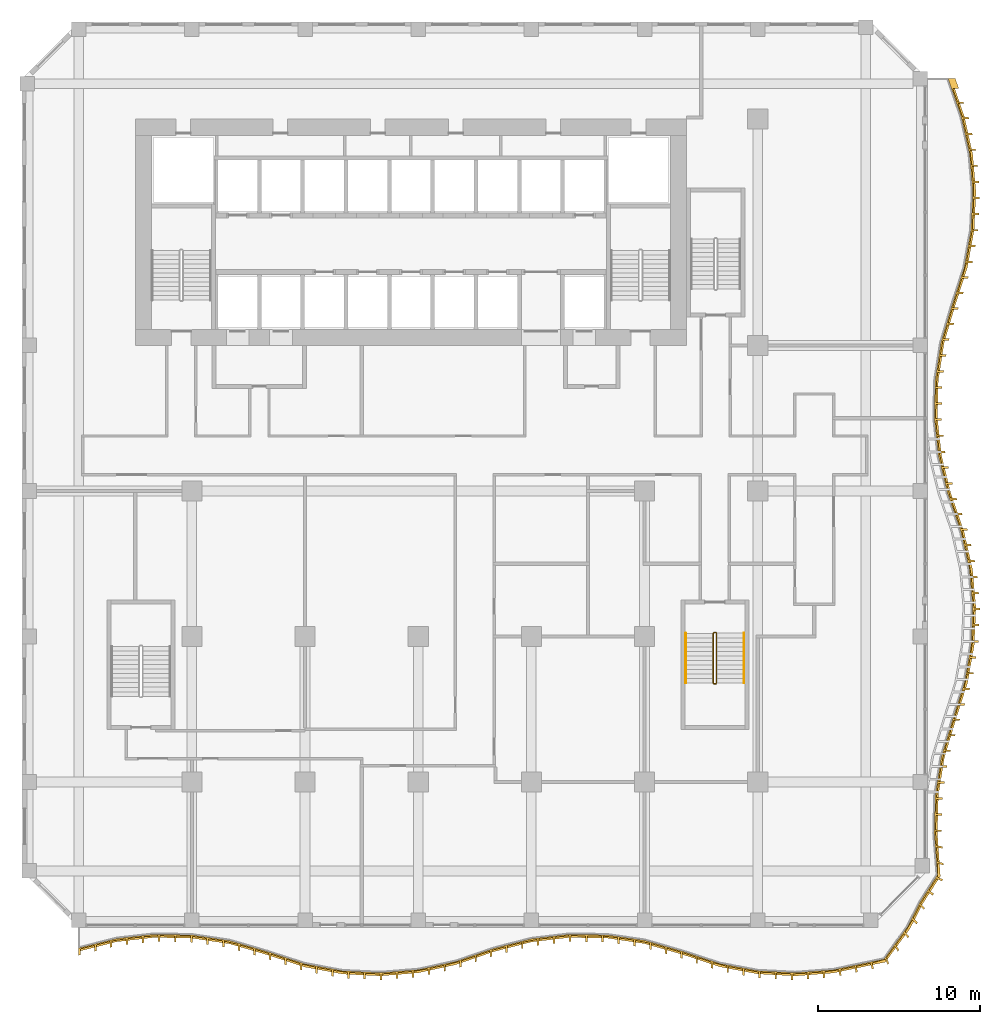
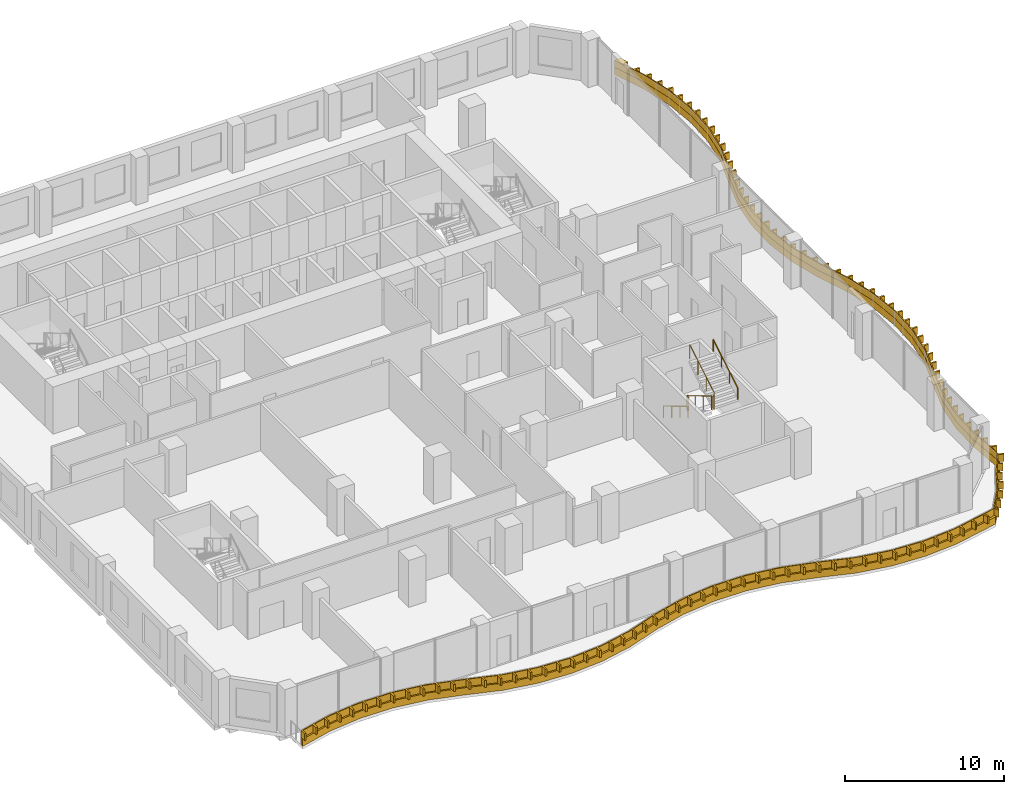
# One storey, part 20 of 21: 3 railings, 2 shading devices.
"""IFC4 building model written with IfcOpenShell, lengths in metres."""

from ifc_helpers import new_model, si_unit, direction, frame, origin, origin_2d, place, context, subcontext, project, spatial, polyline, circle, outline, extrude, source, transform, mapped, material, layer, layer_set, type_object, element, save


model = new_model("IFC4")

# Units and contexts
model_context = context("Model", 3, precision=1e-05, world=origin(), true_north=direction((0.0, 1.0)))
body_context = subcontext(model_context, "Body", "Model", "MODEL_VIEW")
ifc_project = project(units=[si_unit("LENGTHUNIT", "METRE"), si_unit("AREAUNIT", "SQUARE_METRE"), si_unit("VOLUMEUNIT", "CUBIC_METRE"), si_unit("PLANEANGLEUNIT", "RADIAN"), si_unit("MASSUNIT", "GRAM", prefix="KILO")], contexts=[model_context])

# Site, building, storey
site_placement = place(None, origin())
site = spatial("IfcSite", under=ifc_project, at=site_placement, CompositionType="ELEMENT")
building_placement = place(site_placement, origin())
building = spatial("IfcBuilding", under=site, at=building_placement, Name="Kilnfold Tower and Market Hall", CompositionType="ELEMENT")
storey_placement = place(building_placement, frame((0.0, 0.0, 91.199951171875)))
storey = spatial("IfcBuildingStorey", under=building, at=storey_placement, Name="L21", CompositionType="ELEMENT", Elevation=91.199951171875)

# Railings
ifc_material_1 = material(Name="Stainless steel 316", Category="steel")
railing_type_1 = type_object("IfcRailingType", Name="CORE STAIR GUARD 1100", PredefinedType="GUARDRAIL", material=ifc_material_1)
railing_1_placement = place(storey_placement, frame((19.89990234375, -9.75, 0.0)))
element("IfcRailing", 1, at=railing_1_placement, inside=storey, type_object=railing_type_1, Name="L21 ST4 stair guard 1", PredefinedType="GUARDRAIL", context=body_context, shape_type="SweptSolid", body=[
    extrude(circle(Radius=0.02392578125, at=origin_2d()), frame((0.0, 0.0, 1.076171875), z_axis=(-1.0, 0.0, 0.0), x_axis=(0.0, -1.0, 0.0)), (0.0, 0.0, 1.0), 0.099853515625),
    extrude(circle(Radius=0.02392578125, at=origin_2d()), frame((-0.099853515625, 0.0, 1.076171875), z_axis=(-0.27628659633, -0.27628659633, 0.920506074601), x_axis=(0.707106781187, -0.707106781187, 0.0)), (0.0, 0.0, 1.0), 0.18115234375),
    extrude(circle(Radius=0.02392578125, at=origin_2d()), frame((-0.14990234375, -0.050048828125, 1.24267578125), z_axis=(0.0, -0.859290745958, 0.51148745235), x_axis=(1.0, 0.0, 0.0)), (0.0, 0.0, 1.0), 3.584228515625),
    extrude(circle(Radius=0.02392578125, at=origin_2d()), frame((-0.14990234375, -3.1298828125, 3.076171875), z_axis=(0.707106781187, -0.707106781187, 0.0), x_axis=(0.707106781187, 0.707106781187, 0.0)), (0.0, 0.0, 1.0), 0.07080078125),
    extrude(circle(Radius=0.02392578125, at=origin_2d()), frame((-0.099853515625, -3.179931640625, 3.076171875), z_axis=(1.0, 0.0, 0.0), x_axis=(0.0, 1.0, 0.0)), (0.0, 0.0, 1.0), 0.099853515625),
    extrude(circle(Radius=0.02392578125, at=origin_2d()), frame((0.0, -3.179931640625, 3.076171875), z_axis=(0.27628659633, 0.27628659633, 0.920506074601), x_axis=(-0.707106781187, 0.707106781187, 0.0)), (0.0, 0.0, 1.0), 0.18115234375),
    extrude(circle(Radius=0.02392578125, at=origin_2d()), frame((0.050048828125, -3.1298828125, 3.24267578125), z_axis=(0.0, 0.859290745958, 0.51148745235), x_axis=(-1.0, 0.0, 0.0)), (0.0, 0.0, 1.0), 3.584228515625),
    extrude(circle(Radius=0.02099609375, at=origin_2d()), origin(), (0.0, 0.0, 1.0), 1.052001953125),
    extrude(circle(Radius=0.02099609375, at=origin_2d()), frame((-0.099853515625, 0.0, 0.0)), (0.0, 0.0, 1.0), 1.052001953125),
    extrude(circle(Radius=0.02099609375, at=origin_2d()), frame((-0.14990234375, -0.050048828125, 0.166748046875)), (0.0, 0.0, 1.0), 1.052001953125),
    extrude(circle(Radius=0.02099609375, at=origin_2d()), frame((-0.14990234375, -1.07666015625, 0.77783203125)), (0.0, 0.0, 1.0), 1.052001953125),
    extrude(circle(Radius=0.02099609375, at=origin_2d()), frame((-0.14990234375, -2.103271484375, 1.388916015625)), (0.0, 0.0, 1.0), 1.052001953125),
    extrude(circle(Radius=0.02099609375, at=origin_2d()), frame((-0.14990234375, -3.1298828125, 2.0)), (0.0, 0.0, 1.0), 1.052001953125),
    extrude(circle(Radius=0.02099609375, at=origin_2d()), frame((-0.099853515625, -3.179931640625, 2.0)), (0.0, 0.0, 1.0), 1.052001953125),
    extrude(circle(Radius=0.02099609375, at=origin_2d()), frame((0.0, -3.179931640625, 2.0)), (0.0, 0.0, 1.0), 1.052001953125),
    extrude(circle(Radius=0.02099609375, at=origin_2d()), frame((0.050048828125, -3.1298828125, 2.166748046875)), (0.0, 0.0, 1.0), 1.052001953125),
    extrude(circle(Radius=0.02099609375, at=origin_2d()), frame((0.050048828125, -2.103271484375, 2.77783203125)), (0.0, 0.0, 1.0), 1.052001953125),
    extrude(circle(Radius=0.02099609375, at=origin_2d()), frame((0.050048828125, -1.07666015625, 3.388916015625)), (0.0, 0.0, 1.0), 1.052001953125),
    extrude(circle(Radius=0.02099609375, at=origin_2d()), frame((0.050048828125, -0.050048828125, 4.0)), (0.0, 0.0, 1.0), 1.052001953125),
])
ifc_material_2 = material(Name="Stainless steel 316", Category="steel")
railing_type_2 = type_object("IfcRailingType", Name="CORE STAIR HANDRAIL 900", PredefinedType="HANDRAIL", material=ifc_material_2)
railing_2_placement = place(storey_placement, frame((18.050048828125, -9.800048828125, 0.166748046875)))
element("IfcRailing", 2, at=railing_2_placement, inside=storey, type_object=railing_type_2, Name="L21 ST4 stair handrail 1", PredefinedType="HANDRAIL", context=body_context, shape_type="SweptSolid", body=[
    extrude(circle(Radius=0.02392578125, at=origin_2d()), frame((0.0, 0.0, 0.8759765625), z_axis=(0.0, -0.859290745958, 0.51148745235), x_axis=(1.0, 0.0, 0.0)), (0.0, 0.0, 1.0), 3.584228515625),
    extrude(circle(Radius=0.02099609375, at=origin_2d()), origin(), (0.0, 0.0, 1.0), 0.851806640625),
    extrude(circle(Radius=0.02099609375, at=origin_2d()), frame((0.0, -1.026611328125, 0.611083984375)), (0.0, 0.0, 1.0), 0.851806640625),
    extrude(circle(Radius=0.02099609375, at=origin_2d()), frame((0.0, -2.05322265625, 1.22216796875)), (0.0, 0.0, 1.0), 0.851806640625),
    extrude(circle(Radius=0.02099609375, at=origin_2d()), frame((0.0, -3.079833984375, 1.833251953125)), (0.0, 0.0, 1.0), 0.851806640625),
])
railing_3_placement = place(storey_placement, frame((21.64990234375, -12.8798828125, 2.166748046875)))
element("IfcRailing", 3, at=railing_3_placement, inside=storey, type_object=railing_type_2, Name="L21 ST4 stair handrail 2", PredefinedType="HANDRAIL", context=body_context, shape_type="SweptSolid", body=[
    extrude(circle(Radius=0.02392578125, at=origin_2d()), frame((0.0, 0.0, 0.8759765625), z_axis=(0.0, 0.859290745958, 0.51148745235), x_axis=(-1.0, 0.0, 0.0)), (0.0, 0.0, 1.0), 3.584228515625),
    extrude(circle(Radius=0.02099609375, at=origin_2d()), origin(), (0.0, 0.0, 1.0), 0.851806640625),
    extrude(circle(Radius=0.02099609375, at=origin_2d()), frame((0.0, 1.026611328125, 0.611083984375)), (0.0, 0.0, 1.0), 0.851806640625),
    extrude(circle(Radius=0.02099609375, at=origin_2d()), frame((0.0, 2.05322265625, 1.22216796875)), (0.0, 0.0, 1.0), 0.851806640625),
    extrude(circle(Radius=0.02099609375, at=origin_2d()), frame((0.0, 3.079833984375, 1.833251953125)), (0.0, 0.0, 1.0), 0.851806640625),
])

# Shading devices
ifc_material_3 = material(Name="Precast concrete C50/60", Category="concrete")
ifc_layer_1 = layer(ifc_material_3, 0.550048828125)
ifc_layer_set_1 = layer_set([ifc_layer_1], Name="Precast concrete C50/60")
shading_device_type_1 = type_object("IfcShadingDeviceType", Name="BALCONY UPSTAND 550", PredefinedType="USERDEFINED", material=ifc_layer_set_1)
shared_shape_1 = source(origin(), body_context, "Body", "SweptSolid", [
    extrude(outline(polyline([(-19.5, -29.473388671875), (-17.166748046875, -28.885986328125), (-14.833251953125, -28.6201171875), (-12.5, -28.661865234375), (-10.166748046875, -29.01318359375), (-7.833251953125, -29.693359375), (-5.5, -30.453369140625), (-3.166748046875, -30.8818359375), (-0.833251953125, -30.997802734375), (1.5, -30.807373046875), (3.833251953125, -30.300048828125), (6.166748046875, -29.49658203125), (8.5, -28.898681640625), (10.833251953125, -28.623779296875), (13.166748046875, -28.656005859375), (15.5, -28.997802734375), (17.833251953125, -29.66748046875), (20.166748046875, -30.435302734375), (22.5, -30.87353515625), (24.833251953125, -30.998779296875), (27.166748046875, -30.817626953125), (30.387939453125, -30.143798828125), (31.9140625, -28.08056640625), (32.701171875, -26.534423828125), (33.79541015625, -24.829345703125), (33.614013671875, -22.166748046875), (33.67431640625, -19.833251953125), (34.044677734375, -17.5), (34.74609375, -15.166748046875), (35.488525390625, -12.833251953125), (35.897705078125, -10.5), (35.9951171875, -8.166748046875), (35.78564453125, -5.833251953125), (35.258544921875, -3.5), (34.450439453125, -1.166748046875), (33.873291015625, 1.166748046875), (33.616943359375, 3.5), (33.66796875, 5.833251953125), (34.02880859375, 8.166748046875), (34.719482421875, 10.5), (35.47119140625, 12.833251953125), (35.889892578125, 15.166748046875), (35.99658203125, 17.5), (35.796630859375, 19.833251953125), (35.279541015625, 22.166748046875), (34.473388671875, 24.5), (34.2734375, 24.5), (35.07958984375, 22.166748046875), (35.5966796875, 19.833251953125), (35.79638671875, 17.5), (35.68994140625, 15.166748046875), (35.27099609375, 12.833251953125), (34.51953125, 10.5), (33.828857421875, 8.166748046875), (33.468017578125, 5.833251953125), (33.4169921875, 3.5), (33.673095703125, 1.166748046875), (34.25048828125, -1.166748046875), (35.05859375, -3.5), (35.585693359375, -5.833251953125), (35.794921875, -8.166748046875), (35.697509765625, -10.5), (35.28857421875, -12.833251953125), (34.546142578125, -15.166748046875), (33.8447265625, -17.5), (33.47412109375, -19.833251953125), (33.4140625, -22.166748046875), (33.610595703125, -24.7529296875), (32.559814453125, -26.39306640625), (31.772705078125, -27.939208984375), (30.3115234375, -29.958984375), (27.166748046875, -30.61767578125), (24.833251953125, -30.798583984375), (22.5, -30.673583984375), (20.166748046875, -30.235107421875), (17.833251953125, -29.467529296875), (15.5, -28.7978515625), (13.166748046875, -28.4560546875), (10.833251953125, -28.423583984375), (8.5, -28.69873046875), (6.166748046875, -29.29638671875), (3.833251953125, -30.10009765625), (1.5, -30.607421875), (-0.833251953125, -30.7978515625), (-3.166748046875, -30.681884765625), (-5.5, -30.25341796875), (-7.833251953125, -29.493408203125), (-10.166748046875, -28.81298828125), (-12.5, -28.4619140625), (-14.833251953125, -28.420166015625), (-17.166748046875, -28.685791015625), (-19.5, -29.2734375), (-19.5, -29.473388671875)])), origin(), (0.0, 0.0, 1.0), 0.550048828125),
])
shading_device_1_placement = place(storey_placement, origin())
element("IfcShadingDevice", 4, at=shading_device_1_placement, inside=storey, type_object=shading_device_type_1, Name="Balcony fascia L21", ObjectType="FASCIA", PredefinedType="USERDEFINED", context=body_context, shape_type="MappedRepresentation", body=[
    mapped(shared_shape_1, transform((0.0, 0.0, 0.0))),
])
ifc_material_4 = material(Name="Bronze anodised aluminium", Category="aluminium")
ifc_layer_2 = layer(ifc_material_4, 0.550048828125)
ifc_layer_set_2 = layer_set([ifc_layer_2], Name="Bronze anodised aluminium")
shading_device_type_2 = type_object("IfcShadingDeviceType", Name="BRONZE SLAT FASCIA 550", PredefinedType="USERDEFINED", material=ifc_layer_set_2)
shared_shape_2 = source(origin(), body_context, "Body", "SweptSolid", [
    extrude(outline(polyline([(-19.5, -29.723388671875), (-19.5, -29.2734375), (-17.166748046875, -28.685791015625), (-14.833251953125, -28.420166015625), (-12.5, -28.4619140625), (-10.166748046875, -28.81298828125), (-7.833251953125, -29.493408203125), (-5.5, -30.25341796875), (-3.166748046875, -30.681884765625), (-0.833251953125, -30.7978515625), (1.5, -30.607421875), (3.833251953125, -30.10009765625), (6.166748046875, -29.29638671875), (8.5, -28.69873046875), (10.833251953125, -28.423583984375), (13.166748046875, -28.4560546875), (15.5, -28.7978515625), (17.833251953125, -29.467529296875), (20.166748046875, -30.235107421875), (22.5, -30.673583984375), (24.833251953125, -30.798583984375), (27.166748046875, -30.61767578125), (30.3115234375, -29.958984375), (31.772705078125, -27.939208984375), (32.559814453125, -26.39306640625), (33.610595703125, -24.7529296875), (33.4140625, -22.166748046875), (33.47412109375, -19.833251953125), (33.8447265625, -17.5), (34.546142578125, -15.166748046875), (35.28857421875, -12.833251953125), (35.697509765625, -10.5), (35.794921875, -8.166748046875), (35.585693359375, -5.833251953125), (35.05859375, -3.5), (34.25048828125, -1.166748046875), (33.673095703125, 1.166748046875), (33.4169921875, 3.5), (33.468017578125, 5.833251953125), (33.828857421875, 8.166748046875), (34.51953125, 10.5), (35.27099609375, 12.833251953125), (35.68994140625, 15.166748046875), (35.79638671875, 17.5), (35.5966796875, 19.833251953125), (35.07958984375, 22.166748046875), (34.2734375, 24.5), (34.723388671875, 24.5), (34.931640625, 23.8974609375), (34.5615234375, 23.8974609375), (34.848876953125, 23.065673828125), (35.218994140625, 23.065673828125), (35.258056640625, 22.9521484375), (34.88818359375, 22.9521484375), (35.170166015625, 22.118896484375), (35.5400390625, 22.118896484375), (35.566162109375, 22.001708984375), (35.196044921875, 22.001708984375), (35.386474609375, 21.142578125), (35.756591796875, 21.142578125), (35.782470703125, 21.025390625), (35.412353515625, 21.025390625), (35.602783203125, 20.166259765625), (35.972900390625, 20.166259765625), (35.998779296875, 20.049072265625), (35.62890625, 20.049072265625), (35.73291015625, 19.1767578125), (36.102783203125, 19.1767578125), (36.113037109375, 19.05712890625), (35.7431640625, 19.05712890625), (35.818115234375, 18.180419921875), (36.188232421875, 18.180419921875), (36.198486328125, 18.060791015625), (35.82861328125, 18.060791015625), (35.862060546875, 17.18310546875), (36.23193359375, 17.18310546875), (36.2265625, 17.0634765625), (35.856689453125, 17.0634765625), (35.81640625, 16.184326171875), (36.186279296875, 16.184326171875), (36.180908203125, 16.064453125), (35.810791015625, 16.064453125), (35.770751953125, 15.185302734375), (36.140869140625, 15.185302734375), (36.139892578125, 15.166748046875), (36.1220703125, 15.06689453125), (35.751953125, 15.06689453125), (35.596435546875, 14.20068359375), (35.966552734375, 14.20068359375), (35.9453125, 14.082763671875), (35.5751953125, 14.082763671875), (35.419921875, 13.216552734375), (35.789794921875, 13.216552734375), (35.768798828125, 13.098388671875), (35.398681640625, 13.098388671875), (35.163818359375, 12.251953125), (35.533935546875, 12.251953125), (35.4970703125, 12.1376953125), (35.127197265625, 12.1376953125), (34.857421875, 11.30029296875), (35.227294921875, 11.30029296875), (35.1904296875, 11.18603515625), (34.820556640625, 11.18603515625), (34.554443359375, 10.34716796875), (34.92431640625, 10.34716796875), (34.890380859375, 10.232177734375), (34.520263671875, 10.232177734375), (34.2705078125, 9.38818359375), (34.640380859375, 9.38818359375), (34.6064453125, 9.273193359375), (34.236328125, 9.273193359375), (33.986572265625, 8.429443359375), (34.356689453125, 8.429443359375), (34.322509765625, 8.314453125), (33.952392578125, 8.314453125), (33.7978515625, 7.44921875), (34.167724609375, 7.44921875), (34.1494140625, 7.330810546875), (33.779541015625, 7.330810546875), (33.64501953125, 6.4609375), (34.014892578125, 6.4609375), (33.99658203125, 6.342529296875), (33.626708984375, 6.342529296875), (33.539794921875, 5.468505859375), (33.909912109375, 5.468505859375), (33.9072265625, 5.3486328125), (33.537353515625, 5.3486328125), (33.51806640625, 4.46875), (33.88818359375, 4.46875), (33.885498046875, 4.348876953125), (33.515380859375, 4.348876953125), (33.50048828125, 3.46923828125), (33.870361328125, 3.46923828125), (33.883544921875, 3.35009765625), (33.513427734375, 3.35009765625), (33.609619140625, 2.47509765625), (33.9794921875, 2.47509765625), (33.99267578125, 2.35595703125), (33.62255859375, 2.35595703125), (33.71875, 1.481201171875), (34.088623046875, 1.481201171875), (34.101806640625, 1.36181640625), (33.731689453125, 1.36181640625), (33.91748046875, 0.503173828125), (34.287353515625, 0.503173828125), (34.316162109375, 0.38671875), (33.9462890625, 0.38671875), (34.157470703125, -0.467529296875), (34.527587890625, -0.467529296875), (34.556396484375, -0.583984375), (34.186279296875, -0.583984375), (34.422119140625, -1.43115234375), (34.7919921875, -1.43115234375), (34.831298828125, -1.54443359375), (34.46142578125, -1.54443359375), (34.749267578125, -2.376220703125), (35.119384765625, -2.376220703125), (35.15869140625, -2.489501953125), (34.78857421875, -2.489501953125), (35.07666015625, -3.321044921875), (35.446533203125, -3.321044921875), (35.48583984375, -3.434326171875), (35.115966796875, -3.434326171875), (35.317138671875, -4.290771484375), (35.687255859375, -4.290771484375), (35.713623046875, -4.40771484375), (35.34375, -4.40771484375), (35.53759765625, -5.26611328125), (35.90771484375, -5.26611328125), (35.93408203125, -5.383056640625), (35.56396484375, -5.383056640625), (35.703125, -6.25), (36.072998046875, -6.25), (36.083740234375, -6.36962890625), (35.7138671875, -6.36962890625), (35.79248046875, -7.24609375), (36.162353515625, -7.24609375), (36.173095703125, -7.365478515625), (35.802978515625, -7.365478515625), (35.871826171875, -8.242431640625), (36.24169921875, -8.242431640625), (36.23681640625, -8.3623046875), (35.86669921875, -8.3623046875), (35.830078125, -9.241455078125), (36.2001953125, -9.241455078125), (36.195068359375, -9.361328125), (35.8251953125, -9.361328125), (35.788330078125, -10.240478515625), (36.158447265625, -10.240478515625), (36.1533203125, -10.360595703125), (35.783447265625, -10.360595703125), (35.64990234375, -11.229248046875), (36.019775390625, -11.229248046875), (35.9990234375, -11.347412109375), (35.62890625, -11.347412109375), (35.47705078125, -12.21435546875), (35.84716796875, -12.21435546875), (35.826416015625, -12.33251953125), (35.456298828125, -12.33251953125), (35.255859375, -13.187255859375), (35.6259765625, -13.187255859375), (35.589599609375, -13.3017578125), (35.219482421875, -13.3017578125), (34.95263671875, -14.14013671875), (35.32275390625, -14.14013671875), (35.286376953125, -14.254638671875), (34.916259765625, -14.254638671875), (34.6494140625, -15.09326171875), (35.01953125, -15.09326171875), (34.98388671875, -15.207763671875), (34.61376953125, -15.207763671875), (34.3603515625, -16.050537109375), (34.73046875, -16.050537109375), (34.69580078125, -16.165283203125), (34.325927734375, -16.165283203125), (34.072509765625, -17.008056640625), (34.442626953125, -17.008056640625), (34.407958984375, -17.123046875), (34.0380859375, -17.123046875), (33.848388671875, -17.98046875), (34.218505859375, -17.98046875), (34.19970703125, -18.098876953125), (33.82958984375, -18.098876953125), (33.691650390625, -18.968017578125), (34.0615234375, -18.968017578125), (34.042724609375, -19.08642578125), (33.6728515625, -19.08642578125), (33.551025390625, -19.95703125), (33.9208984375, -19.95703125), (33.91796875, -20.0771484375), (33.5478515625, -20.0771484375), (33.525146484375, -20.956787109375), (33.895263671875, -20.956787109375), (33.89208984375, -21.07666015625), (33.522216796875, -21.07666015625), (33.49951171875, -21.956298828125), (33.869384765625, -21.956298828125), (33.8662109375, -22.076416015625), (33.496337890625, -22.076416015625), (33.54833984375, -22.940673828125), (33.912109375, -22.98291015625), (33.919189453125, -23.10693359375), (33.556884765625, -23.058349609375), (33.61962890625, -23.9208984375), (33.972900390625, -24.016357421875), (33.97998046875, -24.140380859375), (33.62841796875, -24.03857421875), (33.620361328125, -24.882568359375), (33.957763671875, -25.031494140625), (33.889892578125, -25.137451171875), (33.556640625, -24.981201171875), (33.091552734375, -25.703857421875), (33.39111328125, -25.913330078125), (33.322998046875, -26.01904296875), (33.028564453125, -25.802490234375), (32.5732421875, -26.5341796875), (32.8349609375, -26.7958984375), (32.780517578125, -26.902587890625), (32.518798828125, -26.64111328125), (32.119384765625, -27.42529296875), (32.381103515625, -27.68701171875), (32.326904296875, -27.7939453125), (32.065185546875, -27.5322265625), (31.619873046875, -28.280517578125), (31.865478515625, -28.554443359375), (31.790283203125, -28.6533203125), (31.550048828125, -28.375732421875), (31.039794921875, -29.073486328125), (31.239013671875, -29.37939453125), (31.1640625, -29.478515625), (30.970458984375, -29.168701171875), (30.461181640625, -29.868408203125), (30.61279296875, -30.20458984375), (30.53759765625, -30.3037109375), (30.391845703125, -29.964111328125), (29.57568359375, -30.191650390625), (29.68359375, -30.541748046875), (29.562744140625, -30.567138671875), (29.4599609375, -30.215576171875), (28.61083984375, -30.392822265625), (28.67578125, -30.75244140625), (28.5546875, -30.777587890625), (28.4951171875, -30.417236328125), (27.646484375, -30.595947265625), (27.66796875, -30.962890625), (27.546875, -30.98828125), (27.53076171875, -30.62060546875), (26.66552734375, -30.736572265625), (26.66552734375, -31.1064453125), (26.5458984375, -31.11572265625), (26.5458984375, -30.745849609375), (25.66845703125, -30.81396484375), (25.66845703125, -31.183837890625), (25.548828125, -31.193115234375), (25.548828125, -30.8232421875), (24.671142578125, -30.8701171875), (24.671142578125, -31.239990234375), (24.551513671875, -31.233642578125), (24.551513671875, -30.863525390625), (23.672607421875, -30.81640625), (23.672607421875, -31.186279296875), (23.552734375, -31.179931640625), (23.552734375, -30.81005859375), (22.674072265625, -30.7626953125), (22.674072265625, -31.1328125), (22.55419921875, -31.12646484375), (22.55419921875, -30.75634765625), (21.6884765625, -30.60107421875), (21.6884765625, -30.97119140625), (21.570556640625, -30.948974609375), (21.570556640625, -30.578857421875), (20.705810546875, -30.41650390625), (20.705810546875, -30.78662109375), (20.587890625, -30.764404296875), (20.587890625, -30.394287109375), (19.73779296875, -30.174072265625), (19.73779296875, -30.544189453125), (19.623779296875, -30.506591796875), (19.623779296875, -30.13671875), (18.787841796875, -29.861572265625), (18.787841796875, -30.231689453125), (18.673828125, -30.194091796875), (18.673828125, -29.82421875), (17.837890625, -29.549072265625), (17.837890625, -29.919189453125), (17.72265625, -29.8857421875), (17.72265625, -29.515869140625), (16.876708984375, -29.27294921875), (16.876708984375, -29.64306640625), (16.761474609375, -29.60986328125), (16.761474609375, -29.239990234375), (15.91552734375, -28.9970703125), (15.91552734375, -29.3671875), (15.80029296875, -29.333984375), (15.80029296875, -28.964111328125), (14.9384765625, -28.795654296875), (14.9384765625, -29.16552734375), (14.819580078125, -29.148193359375), (14.819580078125, -28.7783203125), (13.948974609375, -28.650634765625), (13.948974609375, -29.020751953125), (13.830078125, -29.00341796875), (13.830078125, -28.63330078125), (12.957275390625, -28.533203125), (12.957275390625, -28.9033203125), (12.83740234375, -28.901611328125), (12.83740234375, -28.531494140625), (11.95751953125, -28.519287109375), (11.95751953125, -28.889404296875), (11.83740234375, -28.8876953125), (11.83740234375, -28.517578125), (10.95751953125, -28.50537109375), (10.95751953125, -28.87548828125), (10.83740234375, -28.873779296875), (10.83740234375, -28.50390625), (9.96337890625, -28.606201171875), (9.96337890625, -28.976318359375), (9.844482421875, -28.990234375), (9.844482421875, -28.620361328125), (8.970458984375, -28.723388671875), (8.970458984375, -29.09326171875), (8.851318359375, -29.107421875), (8.851318359375, -28.7373046875), (7.989990234375, -28.909423828125), (7.989990234375, -29.279296875), (7.873779296875, -29.30908203125), (7.873779296875, -28.939208984375), (7.021484375, -29.15771484375), (7.021484375, -29.527587890625), (6.9052734375, -29.557373046875), (6.9052734375, -29.187255859375), (6.055419921875, -29.414794921875), (6.055419921875, -29.784912109375), (5.94189453125, -29.823974609375), (5.94189453125, -29.453857421875), (5.10986328125, -29.740478515625), (5.10986328125, -30.1103515625), (4.99658203125, -30.1494140625), (4.99658203125, -29.779541015625), (4.164306640625, -30.066162109375), (4.164306640625, -30.43603515625), (4.051025390625, -30.47509765625), (4.051025390625, -30.10498046875), (3.1982421875, -30.318115234375), (3.1982421875, -30.68798828125), (3.0810546875, -30.713623046875), (3.0810546875, -30.343505859375), (2.22119140625, -30.530517578125), (2.22119140625, -30.900390625), (2.10400390625, -30.926025390625), (2.10400390625, -30.555908203125), (1.239013671875, -30.70849609375), (1.239013671875, -31.07861328125), (1.119384765625, -31.08837890625), (1.119384765625, -30.718505859375), (0.2421875, -30.7900390625), (0.2421875, -31.159912109375), (0.12255859375, -31.169921875), (0.12255859375, -30.7998046875), (-0.75439453125, -30.871337890625), (-0.75439453125, -31.241455078125), (-0.833251953125, -31.247802734375), (-0.874267578125, -31.245849609375), (-0.874267578125, -30.875732421875), (-1.753173828125, -30.83203125), (-1.753173828125, -31.2021484375), (-1.872802734375, -31.196044921875), (-1.872802734375, -30.826171875), (-2.751953125, -30.782470703125), (-2.751953125, -31.15234375), (-2.87158203125, -31.146484375), (-2.87158203125, -30.776611328125), (-3.74169921875, -30.65625), (-3.74169921875, -31.026123046875), (-3.85986328125, -31.00439453125), (-3.85986328125, -30.634521484375), (-4.725341796875, -30.4755859375), (-4.725341796875, -30.845703125), (-4.84326171875, -30.823974609375), (-4.84326171875, -30.453857421875), (-5.701904296875, -30.267578125), (-5.701904296875, -30.637451171875), (-5.81591796875, -30.600341796875), (-5.81591796875, -30.23046875), (-6.652587890625, -29.9580078125), (-6.652587890625, -30.327880859375), (-6.766845703125, -30.290771484375), (-6.766845703125, -29.920654296875), (-7.603515625, -29.648193359375), (-7.603515625, -30.018310546875), (-7.7177734375, -29.981201171875), (-7.7177734375, -29.611083984375), (-8.561279296875, -29.361083984375), (-8.561279296875, -29.731201171875), (-8.676513671875, -29.697509765625), (-8.676513671875, -29.327392578125), (-9.521484375, -29.081298828125), (-9.521484375, -29.451171875), (-9.63671875, -29.41748046875), (-9.63671875, -29.047607421875), (-10.490966796875, -28.84423828125), (-10.490966796875, -29.21435546875), (-10.609619140625, -29.1962890625), (-10.609619140625, -28.826416015625), (-11.479736328125, -28.695556640625), (-11.479736328125, -29.0654296875), (-11.598388671875, -29.047607421875), (-11.598388671875, -28.677490234375), (-12.468505859375, -28.546630859375), (-12.468505859375, -28.91650390625), (-12.58837890625, -28.910400390625), (-12.58837890625, -28.540283203125), (-13.468017578125, -28.524658203125), (-13.468017578125, -28.89453125), (-13.588134765625, -28.892578125), (-13.588134765625, -28.5224609375), (-14.468017578125, -28.506591796875), (-14.468017578125, -28.876708984375), (-14.587890625, -28.87451171875), (-14.587890625, -28.504638671875), (-15.4638671875, -28.572021484375), (-15.4638671875, -28.94189453125), (-15.5830078125, -28.95556640625), (-15.5830078125, -28.585693359375), (-16.45751953125, -28.68505859375), (-16.45751953125, -29.05517578125), (-16.57666015625, -29.068603515625), (-16.57666015625, -28.69873046875), (-17.444091796875, -28.835693359375), (-17.444091796875, -29.205810546875), (-17.560546875, -29.235107421875), (-17.560546875, -28.864990234375), (-18.413818359375, -29.079833984375), (-18.413818359375, -29.449951171875), (-18.5302734375, -29.479248046875), (-18.5302734375, -29.109130859375), (-19.383544921875, -29.32421875), (-19.383544921875, -29.694091796875), (-19.5, -29.723388671875)])), origin(), (0.0, 0.0, 1.0), 0.550048828125),
])
shading_device_2_placement = place(storey_placement, frame((0.0, 0.0, 0.550048828125)))
element("IfcShadingDevice", 5, at=shading_device_2_placement, inside=storey, type_object=shading_device_type_2, Name="Balcony slat fascia L21", ObjectType="SLAT", PredefinedType="USERDEFINED", context=body_context, shape_type="MappedRepresentation", body=[
    mapped(shared_shape_2, transform((0.0, 0.0, 0.0))),
])

save(model, "model.ifc")
